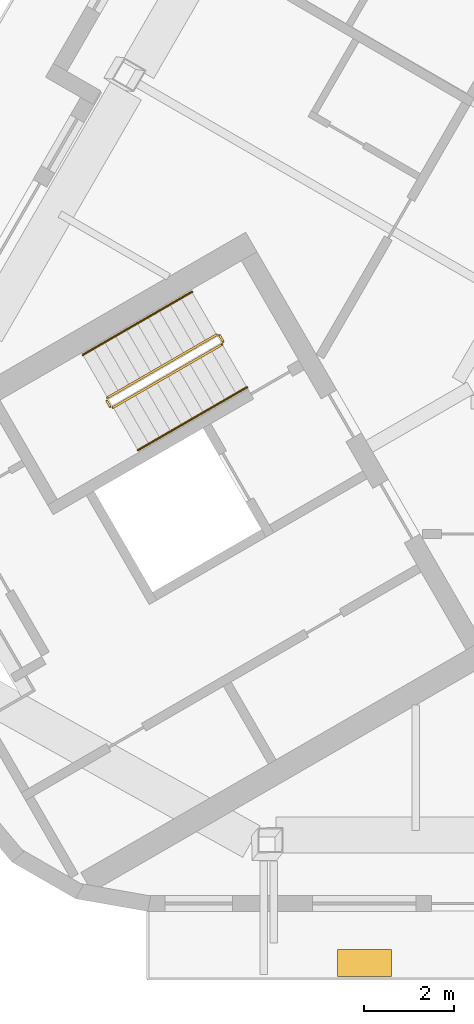
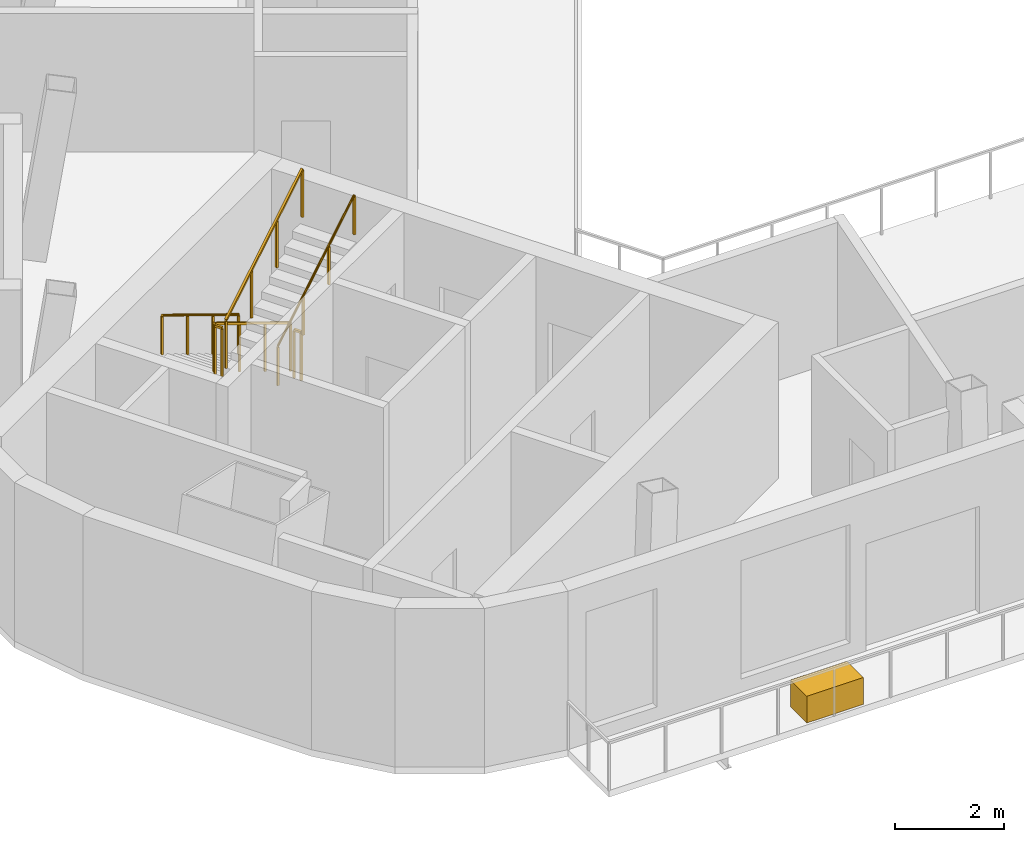
# One storey, part 8 of 11: 6 railings, 1 covering.
"""IFC4 building model written with IfcOpenShell, lengths in metres."""

from ifc_helpers import new_model, si_unit, direction, frame, origin, origin_2d, place, context, subcontext, project, spatial, rectangle, circle, extrude, material, type_object, element, save


model = new_model("IFC4")

# Units and contexts
model_context = context("Model", 3, precision=1e-05, world=origin(), true_north=direction((0.0, 1.0)))
body_context = subcontext(model_context, "Body", "Model", "MODEL_VIEW")
ifc_project = project(units=[si_unit("LENGTHUNIT", "METRE"), si_unit("AREAUNIT", "SQUARE_METRE"), si_unit("VOLUMEUNIT", "CUBIC_METRE"), si_unit("PLANEANGLEUNIT", "RADIAN"), si_unit("MASSUNIT", "GRAM", prefix="KILO")], contexts=[model_context])

# Site, building, storey
site_placement = place(None, origin())
site = spatial("IfcSite", under=ifc_project, at=site_placement, CompositionType="ELEMENT")
building_placement = place(site_placement, origin())
building = spatial("IfcBuilding", under=site, at=building_placement, Name="Apuvela Tower Hotel", CompositionType="ELEMENT")
storey_placement = place(building_placement, frame((0.0, 0.0, 309.60009765625)))
storey = spatial("IfcBuildingStorey", under=building, at=storey_placement, Name="L77", CompositionType="ELEMENT", Elevation=309.60009765625)

# Railings
ifc_material_1 = material(Name="Steel S275 balustrade", Category="steel")
railing_type_1 = type_object("IfcRailingType", Name="COR-GUARD-1100", PredefinedType="GUARDRAIL", material=ifc_material_1)
railing_1_placement = place(storey_placement, frame((-14.569091796875, -3.9658203125, 0.16796875)))
element("IfcRailing", 1, at=railing_1_placement, inside=storey, type_object=railing_type_1, Name="L77 ST2 stair guard 1", PredefinedType="GUARDRAIL", context=body_context, shape_type="SweptSolid", body=[
    extrude(rectangle(XDim=0.048095703125, YDim=0.048095703125, at=origin_2d()), frame((0.0, 0.0, 1.076171875), z_axis=(-0.742390482028, -0.42860119049, 0.514934356695), x_axis=(0.49998411664, -0.866034573852, 0.0)), (0.0, 0.0, 1.0), 3.26611328125),
    extrude(rectangle(XDim=0.0419921875, YDim=0.0419921875, at=origin_2d()), origin(), (0.0, 0.0, 1.0), 1.052001953125),
    extrude(rectangle(XDim=0.0419921875, YDim=0.0419921875, at=origin_2d()), frame((-0.808349609375, -0.466552734375, 0.560546875)), (0.0, 0.0, 1.0), 1.052001953125),
    extrude(rectangle(XDim=0.0419921875, YDim=0.0419921875, at=origin_2d()), frame((-1.616455078125, -0.933349609375, 1.121337890625)), (0.0, 0.0, 1.0), 1.052001953125),
    extrude(rectangle(XDim=0.0419921875, YDim=0.0419921875, at=origin_2d()), frame((-2.4248046875, -1.39990234375, 1.681884765625)), (0.0, 0.0, 1.0), 1.052001953125),
])
railing_2_placement = place(storey_placement, frame((-17.01220703125, -5.43408203125, 1.849853515625)))
element("IfcRailing", 2, at=railing_2_placement, inside=storey, type_object=railing_type_1, Name="L77 ST2 stair guard 2", PredefinedType="GUARDRAIL", context=body_context, shape_type="SweptSolid", body=[
    extrude(rectangle(XDim=0.048095703125, YDim=0.048095703125, at=origin_2d()), frame((0.0, 0.0, 1.076171875), z_axis=(0.499816412211, -0.866131372301, 0.0), x_axis=(0.866131372301, 0.499816412211, 0.0)), (0.0, 0.0, 1.0), 0.14990234375),
    extrude(rectangle(XDim=0.0419921875, YDim=0.0419921875, at=origin_2d()), origin(), (0.0, 0.0, 1.0), 1.052001953125),
    extrude(rectangle(XDim=0.0419921875, YDim=0.0419921875, at=origin_2d()), frame((0.074951171875, -0.1298828125, 0.0)), (0.0, 0.0, 1.0), 1.052001953125),
])
railing_3_placement = place(storey_placement, frame((-16.868896484375, -5.582275390625, 2.01806640625)))
element("IfcRailing", 3, at=railing_3_placement, inside=storey, type_object=railing_type_1, Name="L77 ST2 stair guard 3", PredefinedType="GUARDRAIL", context=body_context, shape_type="SweptSolid", body=[
    extrude(rectangle(XDim=0.048095703125, YDim=0.048095703125, at=origin_2d()), frame((0.0, 0.0, 1.076171875), z_axis=(0.742390482028, 0.42860119049, 0.514934356695), x_axis=(-0.49998411664, 0.866034573852, 0.0)), (0.0, 0.0, 1.0), 3.26611328125),
    extrude(rectangle(XDim=0.0419921875, YDim=0.0419921875, at=origin_2d()), origin(), (0.0, 0.0, 1.0), 1.052001953125),
    extrude(rectangle(XDim=0.0419921875, YDim=0.0419921875, at=origin_2d()), frame((0.808349609375, 0.466552734375, 0.560546875)), (0.0, 0.0, 1.0), 1.052001953125),
    extrude(rectangle(XDim=0.0419921875, YDim=0.0419921875, at=origin_2d()), frame((1.616455078125, 0.933349609375, 1.121337890625)), (0.0, 0.0, 1.0), 1.052001953125),
    extrude(rectangle(XDim=0.0419921875, YDim=0.0419921875, at=origin_2d()), frame((2.4248046875, 1.39990234375, 1.681884765625)), (0.0, 0.0, 1.0), 1.052001953125),
])
railing_4_placement = place(storey_placement, frame((-14.500732421875, -3.984130859375, 0.0)))
element("IfcRailing", 4, at=railing_4_placement, inside=storey, type_object=railing_type_1, Name="L77 ST2 stair guard 4", PredefinedType="GUARDRAIL", context=body_context, shape_type="SweptSolid", body=[
    extrude(rectangle(XDim=0.048095703125, YDim=0.048095703125, at=origin_2d()), frame((0.0, 0.0, 1.076171875), z_axis=(0.499816412211, -0.866131372301, 0.0), x_axis=(0.866131372301, 0.499816412211, 0.0)), (0.0, 0.0, 1.0), 0.14990234375),
    extrude(rectangle(XDim=0.0419921875, YDim=0.0419921875, at=origin_2d()), origin(), (0.0, 0.0, 1.0), 1.052001953125),
    extrude(rectangle(XDim=0.0419921875, YDim=0.0419921875, at=origin_2d()), frame((0.074951171875, -0.1298828125, 0.0)), (0.0, 0.0, 1.0), 1.052001953125),
])
ifc_material_2 = material(Name="Stainless steel 316 handrail", Category="steel")
railing_type_2 = type_object("IfcRailingType", Name="COR-HANDRAIL-900", PredefinedType="HANDRAIL", material=ifc_material_2)
railing_5_placement = place(storey_placement, frame((-15.118896484375, -3.01318359375, 0.16796875)))
element("IfcRailing", 5, at=railing_5_placement, inside=storey, type_object=railing_type_2, Name="L77 ST2 stair handrail 1", PredefinedType="HANDRAIL", context=body_context, shape_type="SweptSolid", body=[
    extrude(circle(Radius=0.02392578125, at=origin_2d()), frame((0.0, 0.0, 0.8759765625), z_axis=(-0.742424030051, -0.428577407461, 0.514905783049), x_axis=(0.49994636267, -0.866056369097, 0.0)), (0.0, 0.0, 1.0), 3.266357421875),
    extrude(rectangle(XDim=0.0419921875, YDim=0.0419921875, at=origin_2d()), origin(), (0.0, 0.0, 1.0), 0.851806640625),
    extrude(rectangle(XDim=0.0419921875, YDim=0.0419921875, at=origin_2d()), frame((-0.808349609375, -0.466552734375, 0.560546875)), (0.0, 0.0, 1.0), 0.851806640625),
    extrude(rectangle(XDim=0.0419921875, YDim=0.0419921875, at=origin_2d()), frame((-1.61669921875, -0.933349609375, 1.121337890625)), (0.0, 0.0, 1.0), 0.851806640625),
    extrude(rectangle(XDim=0.0419921875, YDim=0.0419921875, at=origin_2d()), frame((-2.425048828125, -1.39990234375, 1.681884765625)), (0.0, 0.0, 1.0), 0.851806640625),
])
railing_6_placement = place(storey_placement, frame((-16.31884765625, -6.534912109375, 2.01806640625)))
element("IfcRailing", 6, at=railing_6_placement, inside=storey, type_object=railing_type_2, Name="L77 ST2 stair handrail 2", PredefinedType="HANDRAIL", context=body_context, shape_type="SweptSolid", body=[
    extrude(circle(Radius=0.02392578125, at=origin_2d()), frame((0.0, 0.0, 0.8759765625), z_axis=(0.742390482028, 0.42860119049, 0.514934356695), x_axis=(-0.49998411664, 0.866034573852, 0.0)), (0.0, 0.0, 1.0), 3.26611328125),
    extrude(rectangle(XDim=0.0419921875, YDim=0.0419921875, at=origin_2d()), origin(), (0.0, 0.0, 1.0), 0.851806640625),
    extrude(rectangle(XDim=0.0419921875, YDim=0.0419921875, at=origin_2d()), frame((0.808349609375, 0.466552734375, 0.560546875)), (0.0, 0.0, 1.0), 0.851806640625),
    extrude(rectangle(XDim=0.0419921875, YDim=0.0419921875, at=origin_2d()), frame((1.616455078125, 0.933349609375, 1.121337890625)), (0.0, 0.0, 1.0), 0.851806640625),
    extrude(rectangle(XDim=0.0419921875, YDim=0.0419921875, at=origin_2d()), frame((2.4248046875, 1.39990234375, 1.681884765625)), (0.0, 0.0, 1.0), 0.851806640625),
])

# Covering
ifc_material_3 = material(Name="Planting substrate and soil, planted")
covering_type = type_object("IfcCoveringType", Name="ENV-PLANTER-1200x600", PredefinedType="USERDEFINED", material=ifc_material_3)
covering_placement = place(storey_placement, frame((-11.28125, -17.944580078125, -0.000244140625), z_axis=(0.0, 0.0, 1.0), x_axis=(1.0, 0.0, 0.0)))
element("IfcCovering", 7, at=covering_placement, inside=storey, type_object=covering_type, Name="Planter S1", ObjectType="PLANTER", PredefinedType="USERDEFINED", context=body_context, shape_type="SweptSolid", body=[
    extrude(rectangle(XDim=1.199951171875, YDim=0.60009765625, at=origin_2d()), origin(), (0.0, 0.0, 1.0), 0.60009765625),
])

save(model, "model.ifc")
